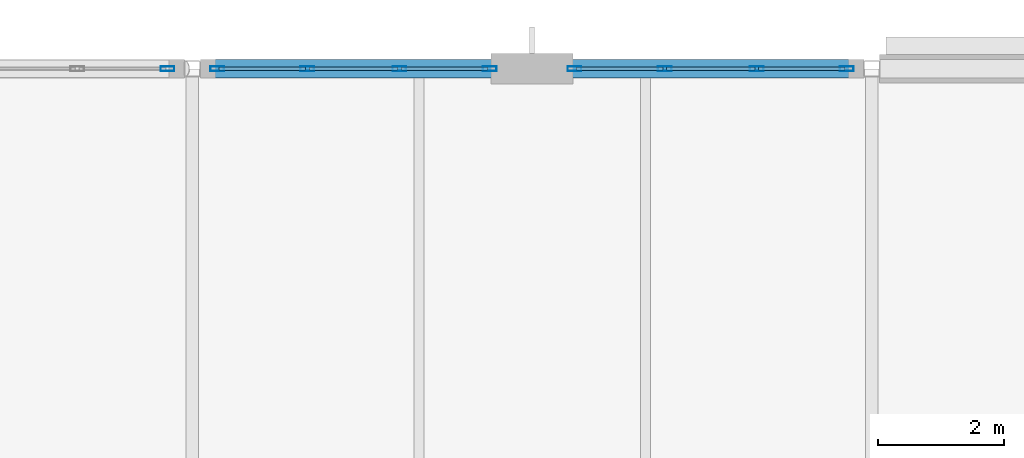
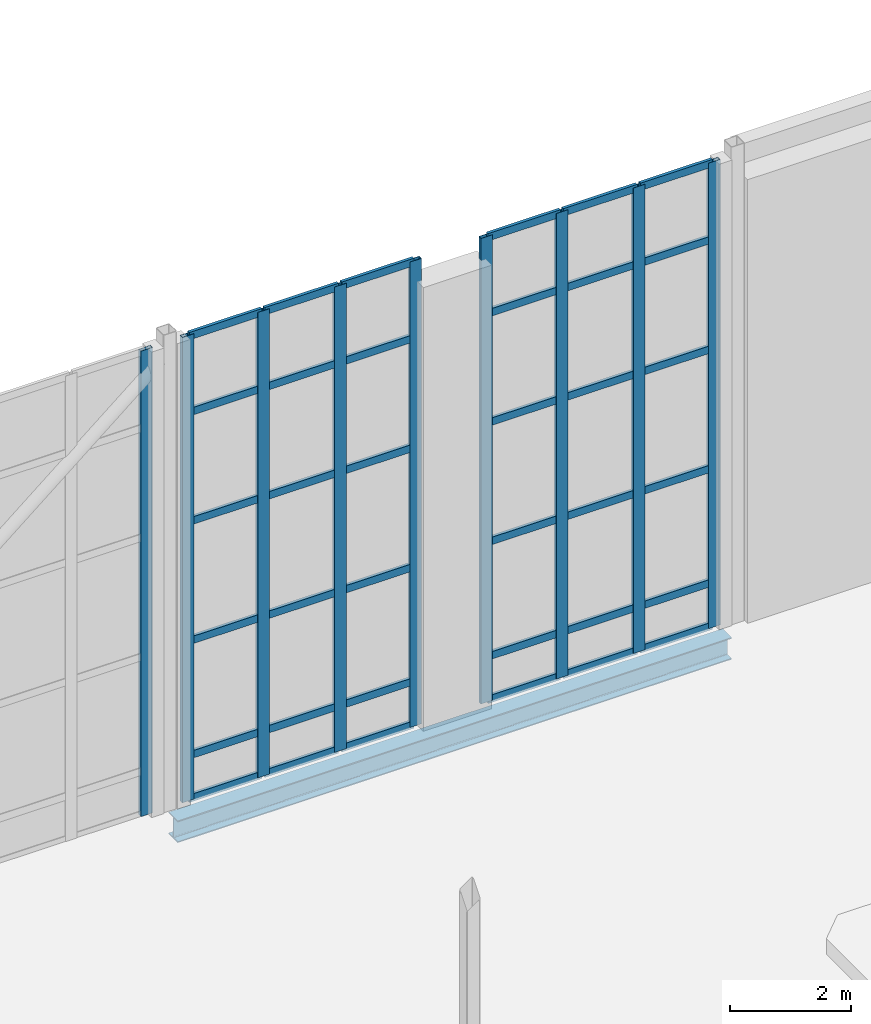
# One storey, part 50 of 100: 45 members, 1 beam, 3 elements without a shape of their own.
"""IFC4 building model written with IfcOpenShell, lengths in metres."""

from ifc_helpers import new_model, si_unit, direction, frame, origin, origin_2d, place, context, subcontext, project, spatial, hollow_rectangle, i_section, extrude, material, layer, layer_set, material_profile, profile_set, type_object, element, aggregate, save


model = new_model("IFC4")

# Units and contexts
model_context = context("Model", 3, precision=1e-05, world=origin(), true_north=direction((0.0, 1.0)))
body_context = subcontext(model_context, "Body", "Model", "MODEL_VIEW")
ifc_project = project(units=[si_unit("LENGTHUNIT", "METRE"), si_unit("AREAUNIT", "SQUARE_METRE"), si_unit("VOLUMEUNIT", "CUBIC_METRE"), si_unit("PLANEANGLEUNIT", "RADIAN"), si_unit("MASSUNIT", "GRAM", prefix="KILO")], contexts=[model_context])

# Site, building, storey
site_placement = place(None, origin())
site = spatial("IfcSite", under=ifc_project, at=site_placement, CompositionType="ELEMENT")
building_placement = place(site_placement, origin())
building = spatial("IfcBuilding", under=site, at=building_placement, Name="Tasgan Crest Museum", CompositionType="ELEMENT")
storey_placement = place(building_placement, frame((0.0, 0.0, 14.39990234375)))
storey = spatial("IfcBuildingStorey", under=building, at=storey_placement, Name="L03", CompositionType="ELEMENT", Elevation=14.39990234375)

# Beam
ifc_material_1 = material(Name="Steel S355J2", Category="steel")
ifc_material_profile_1 = material_profile(ifc_material_1, i_section(OverallWidth=0.300048828125, OverallDepth=0.43994140625, WebThickness=0.011474609375, FlangeThickness=0.02099609375, FilletRadius=0.027099609375, at=origin_2d()), Name="HEA 450")
ifc_profile_set_1 = profile_set([ifc_material_profile_1], Name="Steel S355J2")
beam_type = type_object("IfcBeamType", Name="BM-G-HEA450", PredefinedType="BEAM", material=ifc_profile_set_1)
beam_placement = place(storey_placement, frame((32.532470703125, 112.0, -0.4599609375), z_axis=(1.0, 0.0, 0.0), x_axis=(0.0, 1.0, 0.0)))
element("IfcBeam", 1, at=beam_placement, inside=storey, type_object=beam_type, Name="Girder L03 M 32.4-43.2", PredefinedType="BEAM", context=body_context, shape_type="SweptSolid", body=[
    extrude(i_section(OverallWidth=0.300048828125, OverallDepth=0.43994140625, WebThickness=0.011474609375, FlangeThickness=0.02099609375, FilletRadius=0.027099609375, at=origin_2d()), origin(), (0.0, 0.0, 1.0), 10.534912109375),
])

# Curtain wall, members
ifc_material_2 = material(Name="Triple-Glazed Aluminium Curtain Wall", Category="aluminium")
ifc_layer = layer(ifc_material_2, 0.179931640625, Name="CW-GAL-X-96")
ifc_layer_set = layer_set([ifc_layer], Name="Triple-Glazed Aluminium Curtain Wall")
curtain_wall_type = type_object("IfcCurtainWallType", Name="CW-GAL-X-96", PredefinedType="NOTDEFINED", material=ifc_layer_set)
curtain_wall_1_placement = place(storey_placement, origin())
curtain_wall_1 = element("IfcCurtainWall", 2, at=curtain_wall_1_placement, inside=storey, type_object=curtain_wall_type, Name="Curtain wall L03 131", PredefinedType="NOTDEFINED")
ifc_material_3 = material(Name="Anodised Aluminium", Category="aluminium")
ifc_material_profile_2 = material_profile(ifc_material_3, hollow_rectangle(XDim=0.074951171875, YDim=0.219970703125, WallThickness=0.006103515625, at=origin_2d()), Name="ALU MULLION 220x75x6")
ifc_profile_set_2 = profile_set([ifc_material_profile_2], Name="Anodised Aluminium")
member_type_1 = type_object("IfcMemberType", Name="CW-MULLION-220", PredefinedType="MULLION", material=ifc_profile_set_2)
member_1_placement = place(storey_placement, frame((42.804931640625, 112.0, 0.0), z_axis=(0.0, 0.0, 1.0), x_axis=(0.0, -1.0, 0.0)))
member_1 = element("IfcMember", 3, at=member_1_placement, type_object=member_type_1, Name="CW14 mullion 1", PredefinedType="MULLION", context=body_context, shape_type="SweptSolid", body=[
    extrude(hollow_rectangle(XDim=0.074951171875, YDim=0.219970703125, WallThickness=0.006103515625, at=origin_2d()), origin(), (0.0, 0.0, 1.0), 9.360107421875),
])
member_2_placement = place(storey_placement, frame((41.37158203125, 112.0, 0.0), z_axis=(0.0, 0.0, 1.0), x_axis=(0.0, -1.0, 0.0)))
member_2 = element("IfcMember", 4, at=member_2_placement, type_object=member_type_1, Name="CW14 mullion 2", PredefinedType="MULLION", context=body_context, shape_type="SweptSolid", body=[
    extrude(hollow_rectangle(XDim=0.074951171875, YDim=0.219970703125, WallThickness=0.006103515625, at=origin_2d()), origin(), (0.0, 0.0, 1.0), 9.360107421875),
])
member_3_placement = place(storey_placement, frame((39.908447265625, 112.0, 0.0), z_axis=(0.0, 0.0, 1.0), x_axis=(0.0, -1.0, 0.0)))
member_3 = element("IfcMember", 5, at=member_3_placement, type_object=member_type_1, Name="CW14 mullion 3", PredefinedType="MULLION", context=body_context, shape_type="SweptSolid", body=[
    extrude(hollow_rectangle(XDim=0.074951171875, YDim=0.219970703125, WallThickness=0.006103515625, at=origin_2d()), origin(), (0.0, 0.0, 1.0), 9.360107421875),
])
member_4_placement = place(storey_placement, frame((38.47509765625, 112.0, 0.0), z_axis=(0.0, 0.0, 1.0), x_axis=(0.0, -1.0, 0.0)))
member_4 = element("IfcMember", 6, at=member_4_placement, type_object=member_type_1, Name="CW14 mullion 4", PredefinedType="MULLION", context=body_context, shape_type="SweptSolid", body=[
    extrude(hollow_rectangle(XDim=0.074951171875, YDim=0.219970703125, WallThickness=0.006103515625, at=origin_2d()), origin(), (0.0, 0.0, 1.0), 9.360107421875),
])

curtain_wall_2_placement = place(storey_placement, origin())
curtain_wall_2 = element("IfcCurtainWall", 7, at=curtain_wall_2_placement, inside=storey, type_object=curtain_wall_type, Name="Curtain wall L03 132", PredefinedType="NOTDEFINED")
member_5_placement = place(storey_placement, frame((37.125, 112.0, 0.0), z_axis=(0.0, 0.0, 1.0), x_axis=(0.0, -1.0, 0.0)))
member_5 = element("IfcMember", 8, at=member_5_placement, type_object=member_type_1, Name="CW14 mullion 1", PredefinedType="MULLION", context=body_context, shape_type="SweptSolid", body=[
    extrude(hollow_rectangle(XDim=0.074951171875, YDim=0.219970703125, WallThickness=0.006103515625, at=origin_2d()), origin(), (0.0, 0.0, 1.0), 9.360107421875),
])
member_6_placement = place(storey_placement, frame((35.691650390625, 112.0, 0.0), z_axis=(0.0, 0.0, 1.0), x_axis=(0.0, -1.0, 0.0)))
member_6 = element("IfcMember", 9, at=member_6_placement, type_object=member_type_1, Name="CW14 mullion 2", PredefinedType="MULLION", context=body_context, shape_type="SweptSolid", body=[
    extrude(hollow_rectangle(XDim=0.074951171875, YDim=0.219970703125, WallThickness=0.006103515625, at=origin_2d()), origin(), (0.0, 0.0, 1.0), 9.360107421875),
])
member_7_placement = place(storey_placement, frame((34.228271484375, 112.0, 0.0), z_axis=(0.0, 0.0, 1.0), x_axis=(0.0, -1.0, 0.0)))
member_7 = element("IfcMember", 10, at=member_7_placement, type_object=member_type_1, Name="CW14 mullion 3", PredefinedType="MULLION", context=body_context, shape_type="SweptSolid", body=[
    extrude(hollow_rectangle(XDim=0.074951171875, YDim=0.219970703125, WallThickness=0.006103515625, at=origin_2d()), origin(), (0.0, 0.0, 1.0), 9.360107421875),
])
member_8_placement = place(storey_placement, frame((32.794921875, 112.0, 0.0), z_axis=(0.0, 0.0, 1.0), x_axis=(0.0, -1.0, 0.0)))
member_8 = element("IfcMember", 11, at=member_8_placement, type_object=member_type_1, Name="CW14 mullion 4", PredefinedType="MULLION", context=body_context, shape_type="SweptSolid", body=[
    extrude(hollow_rectangle(XDim=0.074951171875, YDim=0.219970703125, WallThickness=0.006103515625, at=origin_2d()), origin(), (0.0, 0.0, 1.0), 9.360107421875),
])

# Curtain wall, member
curtain_wall_3_placement = place(storey_placement, origin())
curtain_wall_3 = element("IfcCurtainWall", 12, at=curtain_wall_3_placement, inside=storey, type_object=curtain_wall_type, Name="Curtain wall L03 133", PredefinedType="NOTDEFINED")
member_9_placement = place(storey_placement, frame((32.0048828125, 112.0, 0.0), z_axis=(0.0, 0.0, 1.0), x_axis=(0.0, -1.0, 0.0)))
member_9 = element("IfcMember", 13, at=member_9_placement, type_object=member_type_1, Name="CW14 mullion 1", PredefinedType="MULLION", context=body_context, shape_type="SweptSolid", body=[
    extrude(hollow_rectangle(XDim=0.074951171875, YDim=0.219970703125, WallThickness=0.006103515625, at=origin_2d()), origin(), (0.0, 0.0, 1.0), 9.360107421875),
])
aggregate(curtain_wall_3, [member_9])

# Member
ifc_material_4 = material(Name="Anodised Aluminium", Category="aluminium")
ifc_material_profile_3 = material_profile(ifc_material_4, hollow_rectangle(XDim=0.06005859375, YDim=0.14990234375, WallThickness=0.0048828125, at=origin_2d()), Name="ALU TRANSOM 150x60x5")
ifc_profile_set_3 = profile_set([ifc_material_profile_3], Name="Anodised Aluminium")
member_type_2 = type_object("IfcMemberType", Name="CW-TRANSOM-150", PredefinedType="USERDEFINED", material=ifc_profile_set_3)
member_10_placement = place(storey_placement, frame((42.77490234375, 112.0, 0.030029296875), z_axis=(-1.0, 0.0, 0.0), x_axis=(0.0, -1.0, 0.0)))
member_10 = element("IfcMember", 14, at=member_10_placement, type_object=member_type_2, Name="CW14 transom 1.1", ObjectType="TRANSOM", PredefinedType="USERDEFINED", context=body_context, shape_type="SweptSolid", body=[
    extrude(hollow_rectangle(XDim=0.06005859375, YDim=0.14990234375, WallThickness=0.0048828125, at=origin_2d()), origin(), (0.0, 0.0, 1.0), 1.373291015625),
])

member_11_placement = place(storey_placement, frame((42.77490234375, 112.0, 0.900146484375), z_axis=(-1.0, 0.0, 0.0), x_axis=(0.0, -1.0, 0.0)))
member_11 = element("IfcMember", 15, at=member_11_placement, type_object=member_type_2, Name="CW14 transom 1.2", ObjectType="TRANSOM", PredefinedType="USERDEFINED", context=body_context, shape_type="SweptSolid", body=[
    extrude(hollow_rectangle(XDim=0.06005859375, YDim=0.14990234375, WallThickness=0.0048828125, at=origin_2d()), origin(), (0.0, 0.0, 1.0), 1.373291015625),
])

member_12_placement = place(storey_placement, frame((42.77490234375, 112.0, 3.2001953125), z_axis=(-1.0, 0.0, 0.0), x_axis=(0.0, -1.0, 0.0)))
member_12 = element("IfcMember", 16, at=member_12_placement, type_object=member_type_2, Name="CW14 transom 1.3", ObjectType="TRANSOM", PredefinedType="USERDEFINED", context=body_context, shape_type="SweptSolid", body=[
    extrude(hollow_rectangle(XDim=0.06005859375, YDim=0.14990234375, WallThickness=0.0048828125, at=origin_2d()), origin(), (0.0, 0.0, 1.0), 1.373291015625),
])

member_13_placement = place(storey_placement, frame((42.77490234375, 112.0, 5.60009765625), z_axis=(-1.0, 0.0, 0.0), x_axis=(0.0, -1.0, 0.0)))
member_13 = element("IfcMember", 17, at=member_13_placement, type_object=member_type_2, Name="CW14 transom 1.4", ObjectType="TRANSOM", PredefinedType="USERDEFINED", context=body_context, shape_type="SweptSolid", body=[
    extrude(hollow_rectangle(XDim=0.06005859375, YDim=0.14990234375, WallThickness=0.0048828125, at=origin_2d()), origin(), (0.0, 0.0, 1.0), 1.373291015625),
])

member_14_placement = place(storey_placement, frame((42.77490234375, 112.0, 7.800048828125), z_axis=(-1.0, 0.0, 0.0), x_axis=(0.0, -1.0, 0.0)))
member_14 = element("IfcMember", 18, at=member_14_placement, type_object=member_type_2, Name="CW14 transom 1.5", ObjectType="TRANSOM", PredefinedType="USERDEFINED", context=body_context, shape_type="SweptSolid", body=[
    extrude(hollow_rectangle(XDim=0.06005859375, YDim=0.14990234375, WallThickness=0.0048828125, at=origin_2d()), origin(), (0.0, 0.0, 1.0), 1.373291015625),
])

member_15_placement = place(storey_placement, frame((42.77490234375, 112.0, 9.330078125), z_axis=(-1.0, 0.0, 0.0), x_axis=(0.0, -1.0, 0.0)))
member_15 = element("IfcMember", 19, at=member_15_placement, type_object=member_type_2, Name="CW14 transom 1.6", ObjectType="TRANSOM", PredefinedType="USERDEFINED", context=body_context, shape_type="SweptSolid", body=[
    extrude(hollow_rectangle(XDim=0.06005859375, YDim=0.14990234375, WallThickness=0.0048828125, at=origin_2d()), origin(), (0.0, 0.0, 1.0), 1.373291015625),
])

member_16_placement = place(storey_placement, frame((41.341552734375, 112.0, 0.030029296875), z_axis=(-1.0, 0.0, 0.0), x_axis=(0.0, -1.0, 0.0)))
member_16 = element("IfcMember", 20, at=member_16_placement, type_object=member_type_2, Name="CW14 transom 2.1", ObjectType="TRANSOM", PredefinedType="USERDEFINED", context=body_context, shape_type="SweptSolid", body=[
    extrude(hollow_rectangle(XDim=0.06005859375, YDim=0.14990234375, WallThickness=0.0048828125, at=origin_2d()), origin(), (0.0, 0.0, 1.0), 1.4033203125),
])

member_17_placement = place(storey_placement, frame((41.341552734375, 112.0, 0.900146484375), z_axis=(-1.0, 0.0, 0.0), x_axis=(0.0, -1.0, 0.0)))
member_17 = element("IfcMember", 21, at=member_17_placement, type_object=member_type_2, Name="CW14 transom 2.2", ObjectType="TRANSOM", PredefinedType="USERDEFINED", context=body_context, shape_type="SweptSolid", body=[
    extrude(hollow_rectangle(XDim=0.06005859375, YDim=0.14990234375, WallThickness=0.0048828125, at=origin_2d()), origin(), (0.0, 0.0, 1.0), 1.4033203125),
])

member_18_placement = place(storey_placement, frame((41.341552734375, 112.0, 3.2001953125), z_axis=(-1.0, 0.0, 0.0), x_axis=(0.0, -1.0, 0.0)))
member_18 = element("IfcMember", 22, at=member_18_placement, type_object=member_type_2, Name="CW14 transom 2.3", ObjectType="TRANSOM", PredefinedType="USERDEFINED", context=body_context, shape_type="SweptSolid", body=[
    extrude(hollow_rectangle(XDim=0.06005859375, YDim=0.14990234375, WallThickness=0.0048828125, at=origin_2d()), origin(), (0.0, 0.0, 1.0), 1.4033203125),
])

member_19_placement = place(storey_placement, frame((41.341552734375, 112.0, 5.60009765625), z_axis=(-1.0, 0.0, 0.0), x_axis=(0.0, -1.0, 0.0)))
member_19 = element("IfcMember", 23, at=member_19_placement, type_object=member_type_2, Name="CW14 transom 2.4", ObjectType="TRANSOM", PredefinedType="USERDEFINED", context=body_context, shape_type="SweptSolid", body=[
    extrude(hollow_rectangle(XDim=0.06005859375, YDim=0.14990234375, WallThickness=0.0048828125, at=origin_2d()), origin(), (0.0, 0.0, 1.0), 1.4033203125),
])

member_20_placement = place(storey_placement, frame((41.341552734375, 112.0, 7.800048828125), z_axis=(-1.0, 0.0, 0.0), x_axis=(0.0, -1.0, 0.0)))
member_20 = element("IfcMember", 24, at=member_20_placement, type_object=member_type_2, Name="CW14 transom 2.5", ObjectType="TRANSOM", PredefinedType="USERDEFINED", context=body_context, shape_type="SweptSolid", body=[
    extrude(hollow_rectangle(XDim=0.06005859375, YDim=0.14990234375, WallThickness=0.0048828125, at=origin_2d()), origin(), (0.0, 0.0, 1.0), 1.4033203125),
])

member_21_placement = place(storey_placement, frame((41.341552734375, 112.0, 9.330078125), z_axis=(-1.0, 0.0, 0.0), x_axis=(0.0, -1.0, 0.0)))
member_21 = element("IfcMember", 25, at=member_21_placement, type_object=member_type_2, Name="CW14 transom 2.6", ObjectType="TRANSOM", PredefinedType="USERDEFINED", context=body_context, shape_type="SweptSolid", body=[
    extrude(hollow_rectangle(XDim=0.06005859375, YDim=0.14990234375, WallThickness=0.0048828125, at=origin_2d()), origin(), (0.0, 0.0, 1.0), 1.4033203125),
])

member_22_placement = place(storey_placement, frame((39.87841796875, 112.0, 0.030029296875), z_axis=(-1.0, 0.0, 0.0), x_axis=(0.0, -1.0, 0.0)))
member_22 = element("IfcMember", 26, at=member_22_placement, type_object=member_type_2, Name="CW14 transom 3.1", ObjectType="TRANSOM", PredefinedType="USERDEFINED", context=body_context, shape_type="SweptSolid", body=[
    extrude(hollow_rectangle(XDim=0.06005859375, YDim=0.14990234375, WallThickness=0.0048828125, at=origin_2d()), origin(), (0.0, 0.0, 1.0), 1.37353515625),
])

member_23_placement = place(storey_placement, frame((39.87841796875, 112.0, 0.900146484375), z_axis=(-1.0, 0.0, 0.0), x_axis=(0.0, -1.0, 0.0)))
member_23 = element("IfcMember", 27, at=member_23_placement, type_object=member_type_2, Name="CW14 transom 3.2", ObjectType="TRANSOM", PredefinedType="USERDEFINED", context=body_context, shape_type="SweptSolid", body=[
    extrude(hollow_rectangle(XDim=0.06005859375, YDim=0.14990234375, WallThickness=0.0048828125, at=origin_2d()), origin(), (0.0, 0.0, 1.0), 1.37353515625),
])

member_24_placement = place(storey_placement, frame((39.87841796875, 112.0, 3.2001953125), z_axis=(-1.0, 0.0, 0.0), x_axis=(0.0, -1.0, 0.0)))
member_24 = element("IfcMember", 28, at=member_24_placement, type_object=member_type_2, Name="CW14 transom 3.3", ObjectType="TRANSOM", PredefinedType="USERDEFINED", context=body_context, shape_type="SweptSolid", body=[
    extrude(hollow_rectangle(XDim=0.06005859375, YDim=0.14990234375, WallThickness=0.0048828125, at=origin_2d()), origin(), (0.0, 0.0, 1.0), 1.37353515625),
])

member_25_placement = place(storey_placement, frame((39.87841796875, 112.0, 5.60009765625), z_axis=(-1.0, 0.0, 0.0), x_axis=(0.0, -1.0, 0.0)))
member_25 = element("IfcMember", 29, at=member_25_placement, type_object=member_type_2, Name="CW14 transom 3.4", ObjectType="TRANSOM", PredefinedType="USERDEFINED", context=body_context, shape_type="SweptSolid", body=[
    extrude(hollow_rectangle(XDim=0.06005859375, YDim=0.14990234375, WallThickness=0.0048828125, at=origin_2d()), origin(), (0.0, 0.0, 1.0), 1.37353515625),
])

member_26_placement = place(storey_placement, frame((39.87841796875, 112.0, 7.800048828125), z_axis=(-1.0, 0.0, 0.0), x_axis=(0.0, -1.0, 0.0)))
member_26 = element("IfcMember", 30, at=member_26_placement, type_object=member_type_2, Name="CW14 transom 3.5", ObjectType="TRANSOM", PredefinedType="USERDEFINED", context=body_context, shape_type="SweptSolid", body=[
    extrude(hollow_rectangle(XDim=0.06005859375, YDim=0.14990234375, WallThickness=0.0048828125, at=origin_2d()), origin(), (0.0, 0.0, 1.0), 1.37353515625),
])

member_27_placement = place(storey_placement, frame((39.87841796875, 112.0, 9.330078125), z_axis=(-1.0, 0.0, 0.0), x_axis=(0.0, -1.0, 0.0)))
member_27 = element("IfcMember", 31, at=member_27_placement, type_object=member_type_2, Name="CW14 transom 3.6", ObjectType="TRANSOM", PredefinedType="USERDEFINED", context=body_context, shape_type="SweptSolid", body=[
    extrude(hollow_rectangle(XDim=0.06005859375, YDim=0.14990234375, WallThickness=0.0048828125, at=origin_2d()), origin(), (0.0, 0.0, 1.0), 1.37353515625),
])

aggregate(curtain_wall_1, [member_1, member_2, member_3, member_4, member_10, member_11, member_12, member_13, member_14, member_15, member_16, member_17, member_18, member_19, member_20, member_21, member_22, member_23, member_24, member_25, member_26, member_27])

member_28_placement = place(storey_placement, frame((37.094970703125, 112.0, 0.030029296875), z_axis=(-1.0, 0.0, 0.0), x_axis=(0.0, -1.0, 0.0)))
member_28 = element("IfcMember", 32, at=member_28_placement, type_object=member_type_2, Name="CW14 transom 1.1", ObjectType="TRANSOM", PredefinedType="USERDEFINED", context=body_context, shape_type="SweptSolid", body=[
    extrude(hollow_rectangle(XDim=0.06005859375, YDim=0.14990234375, WallThickness=0.0048828125, at=origin_2d()), origin(), (0.0, 0.0, 1.0), 1.373291015625),
])

member_29_placement = place(storey_placement, frame((37.094970703125, 112.0, 0.900146484375), z_axis=(-1.0, 0.0, 0.0), x_axis=(0.0, -1.0, 0.0)))
member_29 = element("IfcMember", 33, at=member_29_placement, type_object=member_type_2, Name="CW14 transom 1.2", ObjectType="TRANSOM", PredefinedType="USERDEFINED", context=body_context, shape_type="SweptSolid", body=[
    extrude(hollow_rectangle(XDim=0.06005859375, YDim=0.14990234375, WallThickness=0.0048828125, at=origin_2d()), origin(), (0.0, 0.0, 1.0), 1.373291015625),
])

member_30_placement = place(storey_placement, frame((37.094970703125, 112.0, 3.2001953125), z_axis=(-1.0, 0.0, 0.0), x_axis=(0.0, -1.0, 0.0)))
member_30 = element("IfcMember", 34, at=member_30_placement, type_object=member_type_2, Name="CW14 transom 1.3", ObjectType="TRANSOM", PredefinedType="USERDEFINED", context=body_context, shape_type="SweptSolid", body=[
    extrude(hollow_rectangle(XDim=0.06005859375, YDim=0.14990234375, WallThickness=0.0048828125, at=origin_2d()), origin(), (0.0, 0.0, 1.0), 1.373291015625),
])

member_31_placement = place(storey_placement, frame((37.094970703125, 112.0, 5.60009765625), z_axis=(-1.0, 0.0, 0.0), x_axis=(0.0, -1.0, 0.0)))
member_31 = element("IfcMember", 35, at=member_31_placement, type_object=member_type_2, Name="CW14 transom 1.4", ObjectType="TRANSOM", PredefinedType="USERDEFINED", context=body_context, shape_type="SweptSolid", body=[
    extrude(hollow_rectangle(XDim=0.06005859375, YDim=0.14990234375, WallThickness=0.0048828125, at=origin_2d()), origin(), (0.0, 0.0, 1.0), 1.373291015625),
])

member_32_placement = place(storey_placement, frame((37.094970703125, 112.0, 7.800048828125), z_axis=(-1.0, 0.0, 0.0), x_axis=(0.0, -1.0, 0.0)))
member_32 = element("IfcMember", 36, at=member_32_placement, type_object=member_type_2, Name="CW14 transom 1.5", ObjectType="TRANSOM", PredefinedType="USERDEFINED", context=body_context, shape_type="SweptSolid", body=[
    extrude(hollow_rectangle(XDim=0.06005859375, YDim=0.14990234375, WallThickness=0.0048828125, at=origin_2d()), origin(), (0.0, 0.0, 1.0), 1.373291015625),
])

member_33_placement = place(storey_placement, frame((37.094970703125, 112.0, 9.330078125), z_axis=(-1.0, 0.0, 0.0), x_axis=(0.0, -1.0, 0.0)))
member_33 = element("IfcMember", 37, at=member_33_placement, type_object=member_type_2, Name="CW14 transom 1.6", ObjectType="TRANSOM", PredefinedType="USERDEFINED", context=body_context, shape_type="SweptSolid", body=[
    extrude(hollow_rectangle(XDim=0.06005859375, YDim=0.14990234375, WallThickness=0.0048828125, at=origin_2d()), origin(), (0.0, 0.0, 1.0), 1.373291015625),
])

member_34_placement = place(storey_placement, frame((35.66162109375, 112.0, 0.030029296875), z_axis=(-1.0, 0.0, 0.0), x_axis=(0.0, -1.0, 0.0)))
member_34 = element("IfcMember", 38, at=member_34_placement, type_object=member_type_2, Name="CW14 transom 2.1", ObjectType="TRANSOM", PredefinedType="USERDEFINED", context=body_context, shape_type="SweptSolid", body=[
    extrude(hollow_rectangle(XDim=0.06005859375, YDim=0.14990234375, WallThickness=0.0048828125, at=origin_2d()), origin(), (0.0, 0.0, 1.0), 1.4033203125),
])

member_35_placement = place(storey_placement, frame((35.66162109375, 112.0, 0.900146484375), z_axis=(-1.0, 0.0, 0.0), x_axis=(0.0, -1.0, 0.0)))
member_35 = element("IfcMember", 39, at=member_35_placement, type_object=member_type_2, Name="CW14 transom 2.2", ObjectType="TRANSOM", PredefinedType="USERDEFINED", context=body_context, shape_type="SweptSolid", body=[
    extrude(hollow_rectangle(XDim=0.06005859375, YDim=0.14990234375, WallThickness=0.0048828125, at=origin_2d()), origin(), (0.0, 0.0, 1.0), 1.4033203125),
])

member_36_placement = place(storey_placement, frame((35.66162109375, 112.0, 3.2001953125), z_axis=(-1.0, 0.0, 0.0), x_axis=(0.0, -1.0, 0.0)))
member_36 = element("IfcMember", 40, at=member_36_placement, type_object=member_type_2, Name="CW14 transom 2.3", ObjectType="TRANSOM", PredefinedType="USERDEFINED", context=body_context, shape_type="SweptSolid", body=[
    extrude(hollow_rectangle(XDim=0.06005859375, YDim=0.14990234375, WallThickness=0.0048828125, at=origin_2d()), origin(), (0.0, 0.0, 1.0), 1.4033203125),
])

member_37_placement = place(storey_placement, frame((35.66162109375, 112.0, 5.60009765625), z_axis=(-1.0, 0.0, 0.0), x_axis=(0.0, -1.0, 0.0)))
member_37 = element("IfcMember", 41, at=member_37_placement, type_object=member_type_2, Name="CW14 transom 2.4", ObjectType="TRANSOM", PredefinedType="USERDEFINED", context=body_context, shape_type="SweptSolid", body=[
    extrude(hollow_rectangle(XDim=0.06005859375, YDim=0.14990234375, WallThickness=0.0048828125, at=origin_2d()), origin(), (0.0, 0.0, 1.0), 1.4033203125),
])

member_38_placement = place(storey_placement, frame((35.66162109375, 112.0, 7.800048828125), z_axis=(-1.0, 0.0, 0.0), x_axis=(0.0, -1.0, 0.0)))
member_38 = element("IfcMember", 42, at=member_38_placement, type_object=member_type_2, Name="CW14 transom 2.5", ObjectType="TRANSOM", PredefinedType="USERDEFINED", context=body_context, shape_type="SweptSolid", body=[
    extrude(hollow_rectangle(XDim=0.06005859375, YDim=0.14990234375, WallThickness=0.0048828125, at=origin_2d()), origin(), (0.0, 0.0, 1.0), 1.4033203125),
])

member_39_placement = place(storey_placement, frame((35.66162109375, 112.0, 9.330078125), z_axis=(-1.0, 0.0, 0.0), x_axis=(0.0, -1.0, 0.0)))
member_39 = element("IfcMember", 43, at=member_39_placement, type_object=member_type_2, Name="CW14 transom 2.6", ObjectType="TRANSOM", PredefinedType="USERDEFINED", context=body_context, shape_type="SweptSolid", body=[
    extrude(hollow_rectangle(XDim=0.06005859375, YDim=0.14990234375, WallThickness=0.0048828125, at=origin_2d()), origin(), (0.0, 0.0, 1.0), 1.4033203125),
])

member_40_placement = place(storey_placement, frame((34.1982421875, 112.0, 0.030029296875), z_axis=(-1.0, 0.0, 0.0), x_axis=(0.0, -1.0, 0.0)))
member_40 = element("IfcMember", 44, at=member_40_placement, type_object=member_type_2, Name="CW14 transom 3.1", ObjectType="TRANSOM", PredefinedType="USERDEFINED", context=body_context, shape_type="SweptSolid", body=[
    extrude(hollow_rectangle(XDim=0.06005859375, YDim=0.14990234375, WallThickness=0.0048828125, at=origin_2d()), origin(), (0.0, 0.0, 1.0), 1.373291015625),
])

member_41_placement = place(storey_placement, frame((34.1982421875, 112.0, 0.900146484375), z_axis=(-1.0, 0.0, 0.0), x_axis=(0.0, -1.0, 0.0)))
member_41 = element("IfcMember", 45, at=member_41_placement, type_object=member_type_2, Name="CW14 transom 3.2", ObjectType="TRANSOM", PredefinedType="USERDEFINED", context=body_context, shape_type="SweptSolid", body=[
    extrude(hollow_rectangle(XDim=0.06005859375, YDim=0.14990234375, WallThickness=0.0048828125, at=origin_2d()), origin(), (0.0, 0.0, 1.0), 1.373291015625),
])

member_42_placement = place(storey_placement, frame((34.1982421875, 112.0, 3.2001953125), z_axis=(-1.0, 0.0, 0.0), x_axis=(0.0, -1.0, 0.0)))
member_42 = element("IfcMember", 46, at=member_42_placement, type_object=member_type_2, Name="CW14 transom 3.3", ObjectType="TRANSOM", PredefinedType="USERDEFINED", context=body_context, shape_type="SweptSolid", body=[
    extrude(hollow_rectangle(XDim=0.06005859375, YDim=0.14990234375, WallThickness=0.0048828125, at=origin_2d()), origin(), (0.0, 0.0, 1.0), 1.373291015625),
])

member_43_placement = place(storey_placement, frame((34.1982421875, 112.0, 5.60009765625), z_axis=(-1.0, 0.0, 0.0), x_axis=(0.0, -1.0, 0.0)))
member_43 = element("IfcMember", 47, at=member_43_placement, type_object=member_type_2, Name="CW14 transom 3.4", ObjectType="TRANSOM", PredefinedType="USERDEFINED", context=body_context, shape_type="SweptSolid", body=[
    extrude(hollow_rectangle(XDim=0.06005859375, YDim=0.14990234375, WallThickness=0.0048828125, at=origin_2d()), origin(), (0.0, 0.0, 1.0), 1.373291015625),
])

member_44_placement = place(storey_placement, frame((34.1982421875, 112.0, 7.800048828125), z_axis=(-1.0, 0.0, 0.0), x_axis=(0.0, -1.0, 0.0)))
member_44 = element("IfcMember", 48, at=member_44_placement, type_object=member_type_2, Name="CW14 transom 3.5", ObjectType="TRANSOM", PredefinedType="USERDEFINED", context=body_context, shape_type="SweptSolid", body=[
    extrude(hollow_rectangle(XDim=0.06005859375, YDim=0.14990234375, WallThickness=0.0048828125, at=origin_2d()), origin(), (0.0, 0.0, 1.0), 1.373291015625),
])

member_45_placement = place(storey_placement, frame((34.1982421875, 112.0, 9.330078125), z_axis=(-1.0, 0.0, 0.0), x_axis=(0.0, -1.0, 0.0)))
member_45 = element("IfcMember", 49, at=member_45_placement, type_object=member_type_2, Name="CW14 transom 3.6", ObjectType="TRANSOM", PredefinedType="USERDEFINED", context=body_context, shape_type="SweptSolid", body=[
    extrude(hollow_rectangle(XDim=0.06005859375, YDim=0.14990234375, WallThickness=0.0048828125, at=origin_2d()), origin(), (0.0, 0.0, 1.0), 1.373291015625),
])

aggregate(curtain_wall_2, [member_5, member_6, member_7, member_8, member_28, member_29, member_30, member_31, member_32, member_33, member_34, member_35, member_36, member_37, member_38, member_39, member_40, member_41, member_42, member_43, member_44, member_45])

save(model, "model.ifc")
